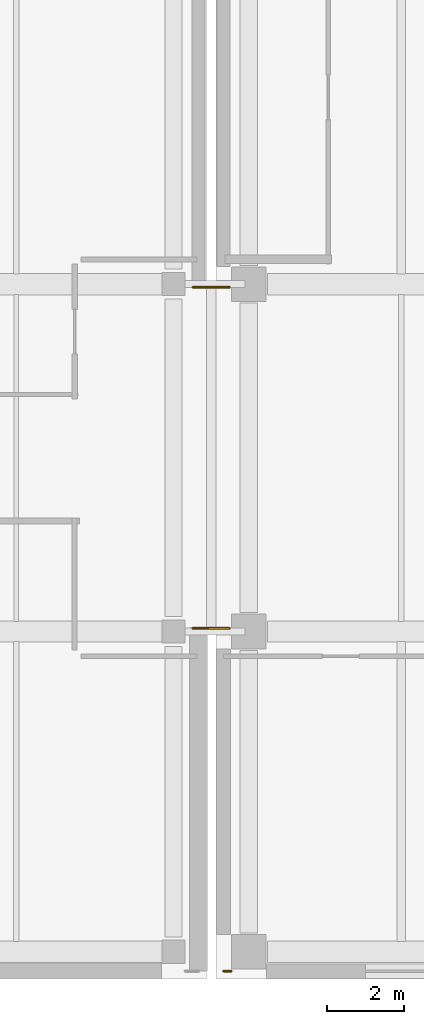
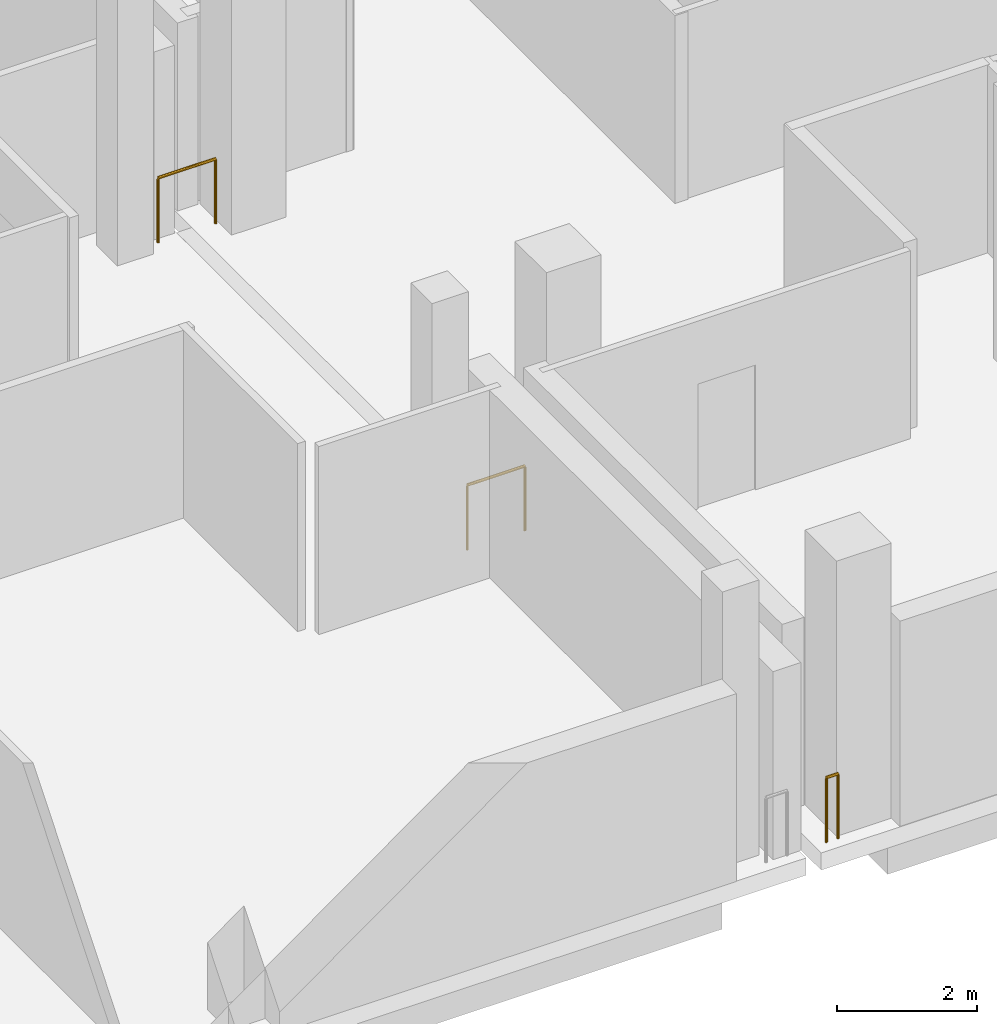
# One storey, part 76 of 100: 3 railings.
"""IFC4 building model written with IfcOpenShell, lengths in metres."""

from ifc_helpers import new_model, si_unit, direction, frame, origin, origin_2d, place, context, subcontext, project, spatial, circle, extrude, material, type_object, element, save


model = new_model("IFC4")

# Units and contexts
model_context = context("Model", 3, precision=1e-05, world=origin(), true_north=direction((0.0, 1.0)))
body_context = subcontext(model_context, "Body", "Model", "MODEL_VIEW")
ifc_project = project(units=[si_unit("LENGTHUNIT", "METRE"), si_unit("AREAUNIT", "SQUARE_METRE"), si_unit("VOLUMEUNIT", "CUBIC_METRE"), si_unit("PLANEANGLEUNIT", "RADIAN"), si_unit("MASSUNIT", "GRAM", prefix="KILO"), si_unit("THERMODYNAMICTEMPERATUREUNIT", "KELVIN"), si_unit("POWERUNIT", "WATT")], contexts=[model_context])

# Site, building, storey
site_placement = place(None, origin())
site = spatial("IfcSite", under=ifc_project, at=site_placement, CompositionType="ELEMENT")
building_placement = place(site_placement, origin())
building = spatial("IfcBuilding", under=site, at=building_placement, Name="Sindhuravela Promenade Stadium", CompositionType="ELEMENT")
storey_placement = place(building_placement, frame((0.0, 0.0, 4.800048828125)))
storey = spatial("IfcBuildingStorey", under=building, at=storey_placement, Name="L01", CompositionType="ELEMENT", Elevation=4.800048828125)

# Railings
ifc_material = material(Name="Architectural wrought steel E350", Category="steel")
railing_type = type_object("IfcRailingType", Name="RL-GRD-1150", PredefinedType="GUARDRAIL", material=ifc_material)
railing_placement = place(storey_placement, frame((54.64501953125, 0.199951171875, 0.0)))
element("IfcRailing", 1, at=railing_placement, inside=storey, type_object=railing_type, Name="Perimeter edge return guard SOUTH L01", PredefinedType="GUARDRAIL", context=body_context, shape_type="SweptSolid", body=[
    extrude(circle(Radius=0.02392578125, at=origin_2d()), frame((0.0, 0.0, 1.1259765625), z_axis=(-1.0, 0.0, 0.0), x_axis=(0.0, -1.0, 0.0)), (0.0, 0.0, 1.0), 0.195068359375),
    extrude(circle(Radius=0.02099609375, at=origin_2d()), origin(), (0.0, 0.0, 1.0), 1.101806640625),
    extrude(circle(Radius=0.02099609375, at=origin_2d()), frame((-0.195068359375, 0.0, 0.0)), (0.0, 0.0, 1.0), 1.101806640625),
])
for number, where, name in (
    (2, (53.64990234375, 9.080078125, 0.0), "Bridge edge guardrail GR01-65"),
    (3, (53.64990234375, 17.919921875, 0.0), "Bridge edge guardrail GR01-66"),
):
    element("IfcRailing", number, at=place(storey_placement, frame(where)), inside=storey, type_object=railing_type, Name=name, PredefinedType="GUARDRAIL", context=body_context, shape_type="SweptSolid", body=[
        extrude(circle(Radius=0.02392578125, at=origin_2d()), frame((0.0, 0.0, 1.1259765625), z_axis=(1.0, 0.0, 0.0), x_axis=(0.0, 1.0, 0.0)), (0.0, 0.0, 1.0), 0.9501953125),
        extrude(circle(Radius=0.02099609375, at=origin_2d()), origin(), (0.0, 0.0, 1.0), 1.101806640625),
        extrude(circle(Radius=0.02099609375, at=origin_2d()), frame((0.9501953125, 0.0, 0.0)), (0.0, 0.0, 1.0), 1.101806640625),
    ])

save(model, "model.ifc")
